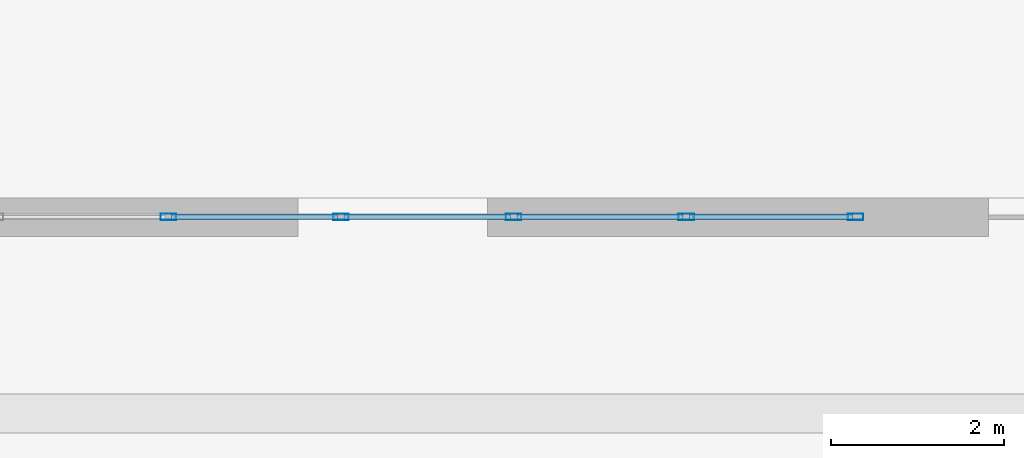
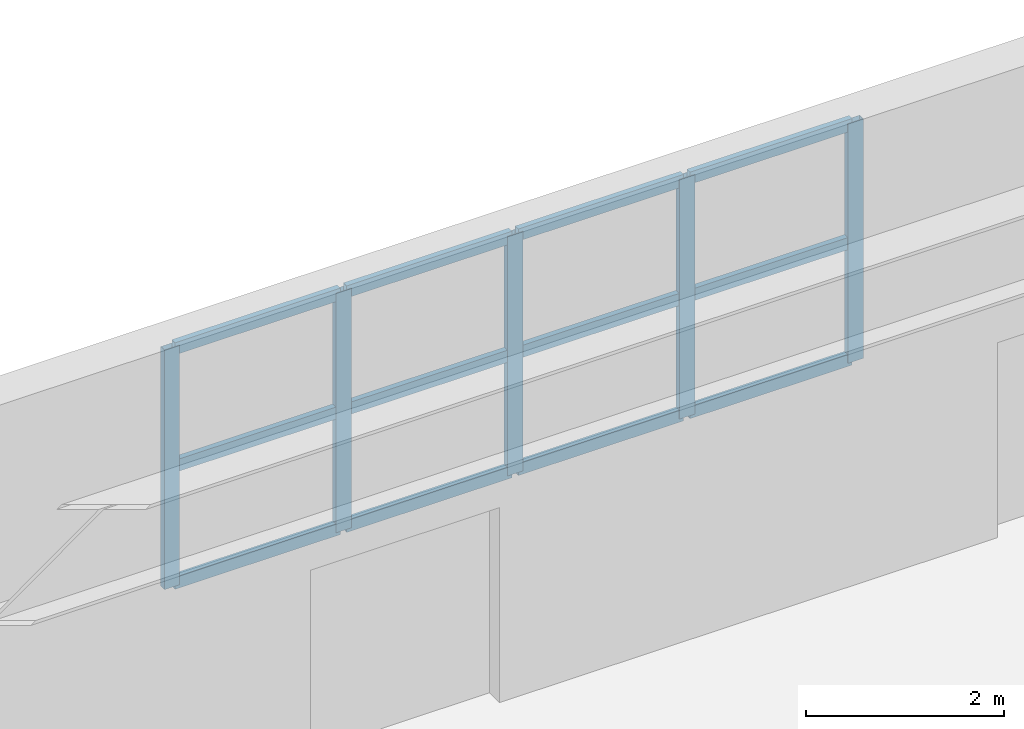
# One storey, part 10 of 31: 17 members, 1 element without a shape of its own.
"""IFC4 building model written with IfcOpenShell, lengths in metres."""

from ifc_helpers import new_model, si_unit, direction, frame, origin, origin_2d, place, context, subcontext, project, spatial, hollow_rectangle, extrude, material, layer, layer_set, material_profile, profile_set, type_object, element, aggregate, save


model = new_model("IFC4")

# Units and contexts
model_context = context("Model", 3, precision=1e-05, world=origin(), true_north=direction((0.0, 1.0)))
body_context = subcontext(model_context, "Body", "Model", "MODEL_VIEW")
ifc_project = project(units=[si_unit("LENGTHUNIT", "METRE"), si_unit("AREAUNIT", "SQUARE_METRE"), si_unit("VOLUMEUNIT", "CUBIC_METRE"), si_unit("PLANEANGLEUNIT", "RADIAN"), si_unit("MASSUNIT", "GRAM", prefix="KILO")], contexts=[model_context])

# Site, building, storey
site_placement = place(None, origin())
site = spatial("IfcSite", under=ifc_project, at=site_placement, CompositionType="ELEMENT")
building_placement = place(site_placement, origin())
building = spatial("IfcBuilding", under=site, at=building_placement, Name="Qiaolan Cultural Towers", CompositionType="ELEMENT")
storey_placement = place(building_placement, origin())
storey = spatial("IfcBuildingStorey", under=building, at=storey_placement, Name="L00", CompositionType="ELEMENT", Elevation=0.0)

# Curtain wall, members
ifc_material_1 = material(Name="Unitized Anodized Aluminium Curtain Wall System", Category="aluminium")
ifc_layer = layer(ifc_material_1, 0.199951171875)
ifc_layer_set = layer_set([ifc_layer], Name="Unitized Anodized Aluminium Curtain Wall System")
curtain_wall_type = type_object("IfcCurtainWallType", Name="CWS-01", PredefinedType="NOTDEFINED", material=ifc_layer_set)
curtain_wall_placement = place(storey_placement, origin())
curtain_wall = element("IfcCurtainWall", 1, at=curtain_wall_placement, inside=storey, type_object=curtain_wall_type, Name="L00 North Station Concourse Clerestory Curtain Wall", PredefinedType="NOTDEFINED")
ifc_material_2 = material(Name="Extruded Aluminium 6063-T6", Category="aluminium")
ifc_material_profile_1 = material_profile(ifc_material_2, hollow_rectangle(XDim=0.074951171875, YDim=0.179931640625, WallThickness=0.00390625, at=origin_2d()), Name="CWM-180x75x4")
ifc_profile_set_1 = profile_set([ifc_material_profile_1], Name="Extruded Aluminium 6063-T6")
member_type_1 = type_object("IfcMemberType", Name="CWS-01-MUL", PredefinedType="MULLION", material=ifc_profile_set_1)
member_1_placement = place(storey_placement, frame((57.5, 67.780029296875, 2.60009765625), z_axis=(0.0, 0.0, 1.0), x_axis=(0.0, 1.0, 0.0)))
member_1 = element("IfcMember", 2, at=member_1_placement, type_object=member_type_1, Name="CW-1 mullion 5", PredefinedType="MULLION", context=body_context, shape_type="SweptSolid", body=[
    extrude(hollow_rectangle(XDim=0.074951171875, YDim=0.179931640625, WallThickness=0.00390625, at=origin_2d()), origin(), (0.0, 0.0, 1.0), 2.949951171875),
])
member_2_placement = place(storey_placement, frame((59.5, 67.780029296875, 2.60009765625), z_axis=(0.0, 0.0, 1.0), x_axis=(0.0, 1.0, 0.0)))
member_2 = element("IfcMember", 3, at=member_2_placement, type_object=member_type_1, Name="CW-1 mullion 6", PredefinedType="MULLION", context=body_context, shape_type="SweptSolid", body=[
    extrude(hollow_rectangle(XDim=0.074951171875, YDim=0.179931640625, WallThickness=0.00390625, at=origin_2d()), origin(), (0.0, 0.0, 1.0), 2.949951171875),
])
member_3_placement = place(storey_placement, frame((61.5, 67.780029296875, 2.60009765625), z_axis=(0.0, 0.0, 1.0), x_axis=(0.0, 1.0, 0.0)))
member_3 = element("IfcMember", 4, at=member_3_placement, type_object=member_type_1, Name="CW-1 mullion 7", PredefinedType="MULLION", context=body_context, shape_type="SweptSolid", body=[
    extrude(hollow_rectangle(XDim=0.074951171875, YDim=0.179931640625, WallThickness=0.00390625, at=origin_2d()), origin(), (0.0, 0.0, 1.0), 2.949951171875),
])
member_4_placement = place(storey_placement, frame((63.5, 67.780029296875, 2.60009765625), z_axis=(0.0, 0.0, 1.0), x_axis=(0.0, 1.0, 0.0)))
member_4 = element("IfcMember", 5, at=member_4_placement, type_object=member_type_1, Name="CW-1 mullion 8", PredefinedType="MULLION", context=body_context, shape_type="SweptSolid", body=[
    extrude(hollow_rectangle(XDim=0.074951171875, YDim=0.179931640625, WallThickness=0.00390625, at=origin_2d()), origin(), (0.0, 0.0, 1.0), 2.949951171875),
])
member_5_placement = place(storey_placement, frame((65.46240234375, 67.780029296875, 2.60009765625), z_axis=(0.0, 0.0, 1.0), x_axis=(0.0, 1.0, 0.0)))
member_5 = element("IfcMember", 6, at=member_5_placement, type_object=member_type_1, Name="CW-1 mullion 9", PredefinedType="MULLION", context=body_context, shape_type="SweptSolid", body=[
    extrude(hollow_rectangle(XDim=0.074951171875, YDim=0.179931640625, WallThickness=0.00390625, at=origin_2d()), origin(), (0.0, 0.0, 1.0), 2.949951171875),
])
ifc_material_3 = material(Name="Extruded Aluminium 6063-T6", Category="aluminium")
ifc_material_profile_2 = material_profile(ifc_material_3, hollow_rectangle(XDim=0.06494140625, YDim=0.14990234375, WallThickness=0.00390625, at=origin_2d()), Name="CWT-150x65x4")
ifc_profile_set_2 = profile_set([ifc_material_profile_2], Name="Extruded Aluminium 6063-T6")
member_type_2 = type_object("IfcMemberType", Name="CWS-01-TRN", PredefinedType="USERDEFINED", material=ifc_profile_set_2)
member_6_placement = place(storey_placement, frame((57.53759765625, 67.780029296875, 2.632568359375), z_axis=(1.0, 0.0, 0.0), x_axis=(0.0, 1.0, 0.0)))
member_6 = element("IfcMember", 7, at=member_6_placement, type_object=member_type_2, Name="CW-1 transom 5.1", ObjectType="TRANSOM", PredefinedType="USERDEFINED", context=body_context, shape_type="SweptSolid", body=[
    extrude(hollow_rectangle(XDim=0.06494140625, YDim=0.14990234375, WallThickness=0.00390625, at=origin_2d()), origin(), (0.0, 0.0, 1.0), 1.9248046875),
])
member_7_placement = place(storey_placement, frame((57.53759765625, 67.780029296875, 4.070068359375), z_axis=(1.0, 0.0, 0.0), x_axis=(0.0, 1.0, 0.0)))
member_7 = element("IfcMember", 8, at=member_7_placement, type_object=member_type_2, Name="CW-1 transom 5.2", ObjectType="TRANSOM", PredefinedType="USERDEFINED", context=body_context, shape_type="SweptSolid", body=[
    extrude(hollow_rectangle(XDim=0.06494140625, YDim=0.14990234375, WallThickness=0.00390625, at=origin_2d()), origin(), (0.0, 0.0, 1.0), 1.9248046875),
])
member_8_placement = place(storey_placement, frame((57.53759765625, 67.780029296875, 5.517578125), z_axis=(1.0, 0.0, 0.0), x_axis=(0.0, 1.0, 0.0)))
member_8 = element("IfcMember", 9, at=member_8_placement, type_object=member_type_2, Name="CW-1 transom 5.3", ObjectType="TRANSOM", PredefinedType="USERDEFINED", context=body_context, shape_type="SweptSolid", body=[
    extrude(hollow_rectangle(XDim=0.06494140625, YDim=0.14990234375, WallThickness=0.00390625, at=origin_2d()), origin(), (0.0, 0.0, 1.0), 1.9248046875),
])
member_9_placement = place(storey_placement, frame((59.53759765625, 67.780029296875, 2.632568359375), z_axis=(1.0, 0.0, 0.0), x_axis=(0.0, 1.0, 0.0)))
member_9 = element("IfcMember", 10, at=member_9_placement, type_object=member_type_2, Name="CW-1 transom 6.1", ObjectType="TRANSOM", PredefinedType="USERDEFINED", context=body_context, shape_type="SweptSolid", body=[
    extrude(hollow_rectangle(XDim=0.06494140625, YDim=0.14990234375, WallThickness=0.00390625, at=origin_2d()), origin(), (0.0, 0.0, 1.0), 1.9248046875),
])
member_10_placement = place(storey_placement, frame((59.53759765625, 67.780029296875, 4.070068359375), z_axis=(1.0, 0.0, 0.0), x_axis=(0.0, 1.0, 0.0)))
member_10 = element("IfcMember", 11, at=member_10_placement, type_object=member_type_2, Name="CW-1 transom 6.2", ObjectType="TRANSOM", PredefinedType="USERDEFINED", context=body_context, shape_type="SweptSolid", body=[
    extrude(hollow_rectangle(XDim=0.06494140625, YDim=0.14990234375, WallThickness=0.00390625, at=origin_2d()), origin(), (0.0, 0.0, 1.0), 1.9248046875),
])
member_11_placement = place(storey_placement, frame((59.53759765625, 67.780029296875, 5.517578125), z_axis=(1.0, 0.0, 0.0), x_axis=(0.0, 1.0, 0.0)))
member_11 = element("IfcMember", 12, at=member_11_placement, type_object=member_type_2, Name="CW-1 transom 6.3", ObjectType="TRANSOM", PredefinedType="USERDEFINED", context=body_context, shape_type="SweptSolid", body=[
    extrude(hollow_rectangle(XDim=0.06494140625, YDim=0.14990234375, WallThickness=0.00390625, at=origin_2d()), origin(), (0.0, 0.0, 1.0), 1.9248046875),
])
member_12_placement = place(storey_placement, frame((61.53759765625, 67.780029296875, 2.632568359375), z_axis=(1.0, 0.0, 0.0), x_axis=(0.0, 1.0, 0.0)))
member_12 = element("IfcMember", 13, at=member_12_placement, type_object=member_type_2, Name="CW-1 transom 7.1", ObjectType="TRANSOM", PredefinedType="USERDEFINED", context=body_context, shape_type="SweptSolid", body=[
    extrude(hollow_rectangle(XDim=0.06494140625, YDim=0.14990234375, WallThickness=0.00390625, at=origin_2d()), origin(), (0.0, 0.0, 1.0), 1.9248046875),
])
member_13_placement = place(storey_placement, frame((61.53759765625, 67.780029296875, 4.070068359375), z_axis=(1.0, 0.0, 0.0), x_axis=(0.0, 1.0, 0.0)))
member_13 = element("IfcMember", 14, at=member_13_placement, type_object=member_type_2, Name="CW-1 transom 7.2", ObjectType="TRANSOM", PredefinedType="USERDEFINED", context=body_context, shape_type="SweptSolid", body=[
    extrude(hollow_rectangle(XDim=0.06494140625, YDim=0.14990234375, WallThickness=0.00390625, at=origin_2d()), origin(), (0.0, 0.0, 1.0), 1.9248046875),
])
member_14_placement = place(storey_placement, frame((61.53759765625, 67.780029296875, 5.517578125), z_axis=(1.0, 0.0, 0.0), x_axis=(0.0, 1.0, 0.0)))
member_14 = element("IfcMember", 15, at=member_14_placement, type_object=member_type_2, Name="CW-1 transom 7.3", ObjectType="TRANSOM", PredefinedType="USERDEFINED", context=body_context, shape_type="SweptSolid", body=[
    extrude(hollow_rectangle(XDim=0.06494140625, YDim=0.14990234375, WallThickness=0.00390625, at=origin_2d()), origin(), (0.0, 0.0, 1.0), 1.9248046875),
])
member_15_placement = place(storey_placement, frame((63.53759765625, 67.780029296875, 2.632568359375), z_axis=(1.0, 0.0, 0.0), x_axis=(0.0, 1.0, 0.0)))
member_15 = element("IfcMember", 16, at=member_15_placement, type_object=member_type_2, Name="CW-1 transom 8.1", ObjectType="TRANSOM", PredefinedType="USERDEFINED", context=body_context, shape_type="SweptSolid", body=[
    extrude(hollow_rectangle(XDim=0.06494140625, YDim=0.14990234375, WallThickness=0.00390625, at=origin_2d()), origin(), (0.0, 0.0, 1.0), 1.887451171875),
])
member_16_placement = place(storey_placement, frame((63.53759765625, 67.780029296875, 4.070068359375), z_axis=(1.0, 0.0, 0.0), x_axis=(0.0, 1.0, 0.0)))
member_16 = element("IfcMember", 17, at=member_16_placement, type_object=member_type_2, Name="CW-1 transom 8.2", ObjectType="TRANSOM", PredefinedType="USERDEFINED", context=body_context, shape_type="SweptSolid", body=[
    extrude(hollow_rectangle(XDim=0.06494140625, YDim=0.14990234375, WallThickness=0.00390625, at=origin_2d()), origin(), (0.0, 0.0, 1.0), 1.887451171875),
])
member_17_placement = place(storey_placement, frame((63.53759765625, 67.780029296875, 5.517578125), z_axis=(1.0, 0.0, 0.0), x_axis=(0.0, 1.0, 0.0)))
member_17 = element("IfcMember", 18, at=member_17_placement, type_object=member_type_2, Name="CW-1 transom 8.3", ObjectType="TRANSOM", PredefinedType="USERDEFINED", context=body_context, shape_type="SweptSolid", body=[
    extrude(hollow_rectangle(XDim=0.06494140625, YDim=0.14990234375, WallThickness=0.00390625, at=origin_2d()), origin(), (0.0, 0.0, 1.0), 1.887451171875),
])
aggregate(curtain_wall, [member_1, member_2, member_3, member_4, member_5, member_6, member_7, member_8, member_9, member_10, member_11, member_12, member_13, member_14, member_15, member_16, member_17])

save(model, "model.ifc")
